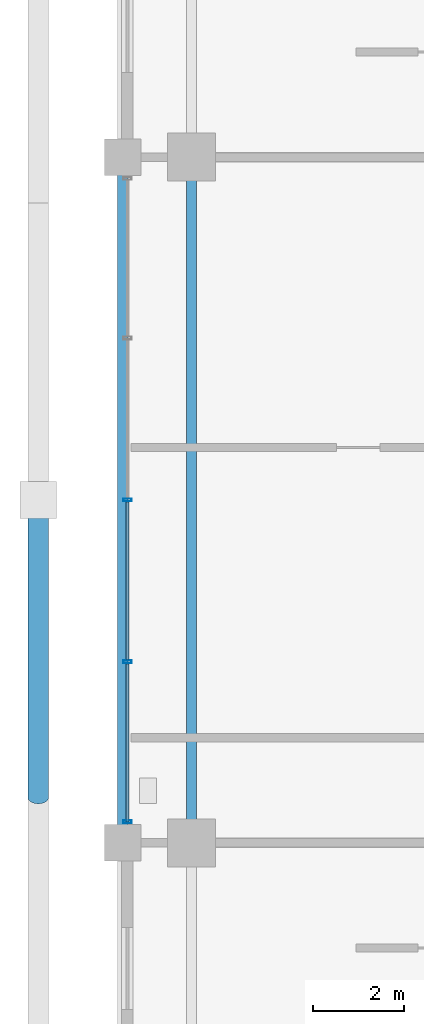
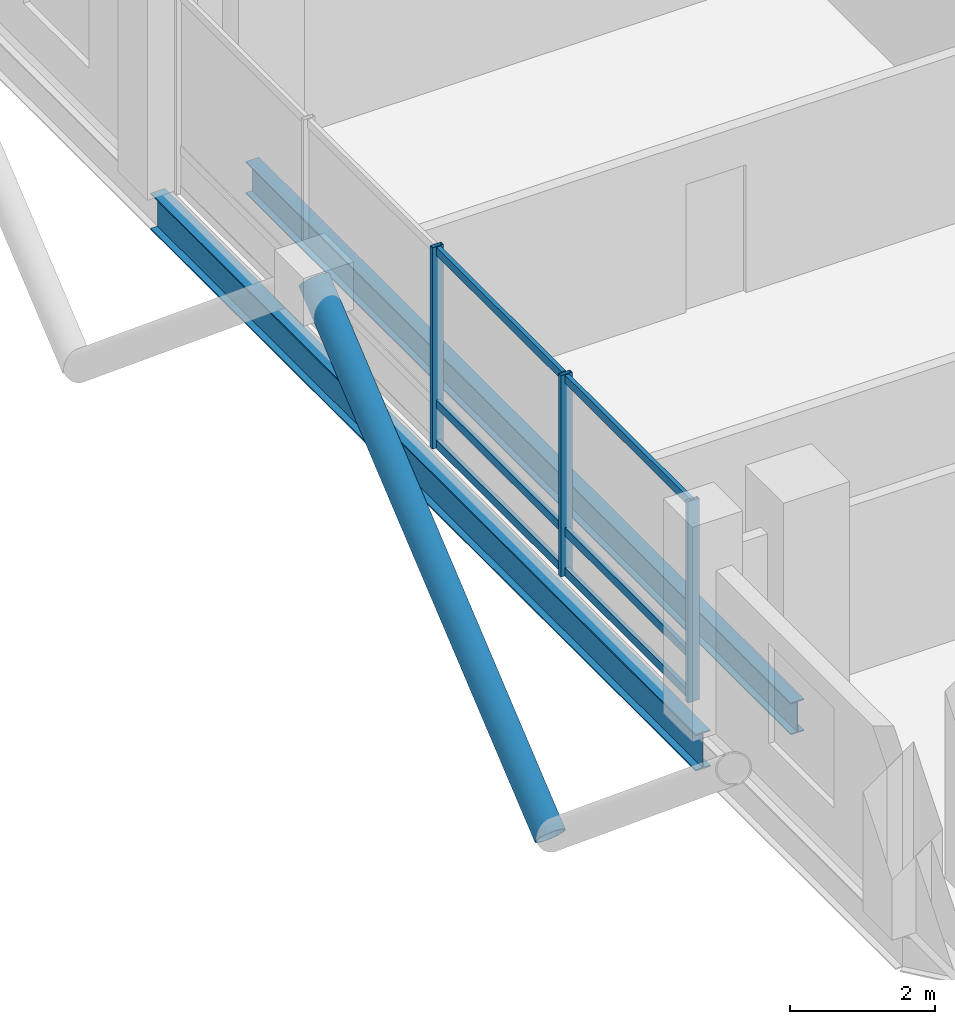
# One storey, part 6 of 23: 10 members, 2 beams, 1 element without a shape of its own.
"""IFC4 building model written with IfcOpenShell, lengths in metres."""

import ifcopenshell
import ifcopenshell.guid

model = None  # the IFC model being written
_history = None  # IfcOwnerHistory: only IFC2X3 demands one
_inside = {}  # id of a spatial element -> (the spatial element, [elements in it])
_under = {}  # id of a project, library or spatial element -> (it, [spatial elements below it])
_declared = {}  # id of a project -> (the project, [libraries it declares])
_typed = {}  # id of a type object -> (the type object, [elements of that type])
_made_of = {}  # id of a material, layer set ... -> (it, [elements and type objects made of it])


def new_model(schema):
    """Start an empty IFC model of exactly this schema.

    Asked for "IFC4X3", IfcOpenShell would pick the latest addendum, in which some entities
    have other attributes; the version numbers below select the first issue.
    IFC2X3 requires an IfcOwnerHistory on every rooted entity: one is made here for all.
    """
    global model, _history
    if schema == "IFC4X3":
        model = ifcopenshell.file(schema_version=(4, 3, 0, 0))
    else:
        model = ifcopenshell.file(schema=schema)
    _inside.clear()
    _under.clear()
    _declared.clear()
    _typed.clear()
    _made_of.clear()
    _history = None
    if model.schema == "IFC2X3":
        org = make("IfcOrganization", Name="unknown")
        user = make(
            "IfcPersonAndOrganization",
            ThePerson=make("IfcPerson", FamilyName="unknown"),
            TheOrganization=org,
        )
        app = make(
            "IfcApplication",
            ApplicationDeveloper=org,
            Version="unknown",
            ApplicationFullName="unknown",
            ApplicationIdentifier="unknown",
        )
        _history = make(
            "IfcOwnerHistory",
            OwningUser=user,
            OwningApplication=app,
            ChangeAction="ADDED",
            CreationDate=0,
        )
    return model


def make(cls, **values):
    """One entity of the class cls with the attributes given. An attribute that is None is left unset."""
    return model.create_entity(
        cls, **{name: value for name, value in values.items() if value is not None}
    )


def rooted(cls, **values):
    """An entity with a GlobalId (a new one), such as an element, a storey or a relation."""
    return make(cls, GlobalId=ifcopenshell.guid.new(), OwnerHistory=_history, **values)


def si_unit(unit_type, name, prefix=None):
    """IfcSIUnit, for example si_unit("LENGTHUNIT", "METRE", prefix="MILLI")."""
    return make("IfcSIUnit", UnitType=unit_type, Prefix=prefix, Name=name)


def assignment(units):
    """IfcUnitAssignment: the units of a project."""
    return None if units is None else make("IfcUnitAssignment", Units=units)


def point(xyz):
    """IfcCartesianPoint."""
    return None if xyz is None else make("IfcCartesianPoint", Coordinates=xyz)


def direction(xyz):
    """IfcDirection."""
    return None if xyz is None else make("IfcDirection", DirectionRatios=xyz)


def frame(location, z_axis=None, x_axis=None):
    """IfcAxis2Placement3D, a coordinate frame: its origin and axes. An axis left out is left unset."""
    return make(
        "IfcAxis2Placement3D",
        Location=point(location),
        Axis=direction(z_axis),
        RefDirection=direction(x_axis),
    )


def frame_2d(location, x_axis=None):
    """IfcAxis2Placement2D, a coordinate frame in the plane: its origin and x axis."""
    return make(
        "IfcAxis2Placement2D", Location=point(location), RefDirection=direction(x_axis)
    )


def origin():
    """The frame at (0, 0, 0) with its axes left unset."""
    return frame((0.0, 0.0, 0.0))


def origin_2d():
    """The frame at (0, 0) in the plane with its x axis left unset."""
    return frame_2d((0.0, 0.0))


def place(relative_to, where):
    """IfcLocalPlacement: puts the frame where relative to a parent placement (None: the world)."""
    return make(
        "IfcLocalPlacement", PlacementRelTo=relative_to, RelativePlacement=where
    )


def context(
    kind, dimensions, precision=None, world=None, true_north=None, identifier=None
):
    """IfcGeometricRepresentationContext, for example the 3D "Model" context."""
    return make(
        "IfcGeometricRepresentationContext",
        ContextIdentifier=identifier,
        ContextType=kind,
        CoordinateSpaceDimension=dimensions,
        Precision=precision,
        WorldCoordinateSystem=world,
        TrueNorth=true_north,
    )


def subcontext(parent, identifier, kind, view, scale=None):
    """IfcGeometricRepresentationSubContext, for example "Body" below "Model"."""
    return make(
        "IfcGeometricRepresentationSubContext",
        ContextIdentifier=identifier,
        ContextType=kind,
        ParentContext=parent,
        TargetScale=scale,
        TargetView=view,
    )


def project(units=None, contexts=None):
    """IfcProject with its units and contexts."""
    return rooted(
        "IfcProject",
        Name="project",
        RepresentationContexts=contexts,
        UnitsInContext=assignment(units),
    )


def spatial(cls, under=None, at=None, **own):
    """A site, building, storey or space (cls), placed at a placement, below another one or the project."""
    s = rooted(cls, ObjectPlacement=at, **own)
    if under is not None:
        _under.setdefault(under.id(), (under, []))[1].append(s)
    return s


def profile(cls, at=None, kind="AREA", **sizes):
    """A parametric profile (cls). Its sizes go by their IFC names, for example OverallWidth=200.0."""
    return make(cls, ProfileType=kind, Position=at, **sizes)


def hollow_rectangle(**sizes):
    """IfcRectangleHollowProfileDef."""
    return profile("IfcRectangleHollowProfileDef", **sizes)


def hollow_circle(**sizes):
    """IfcCircleHollowProfileDef."""
    return profile("IfcCircleHollowProfileDef", **sizes)


def i_section(**sizes):
    """IfcIShapeProfileDef."""
    return profile("IfcIShapeProfileDef", **sizes)


def extrude(swept, where, along, depth):
    """IfcExtrudedAreaSolid: the profile swept, set in the frame where, extruded along a direction by depth."""
    return make(
        "IfcExtrudedAreaSolid",
        SweptArea=swept,
        Position=where,
        ExtrudedDirection=direction(along),
        Depth=depth,
    )


def shape(context_of_items, identifier, shape_type, items):
    """IfcShapeRepresentation: the items that make up one representation, for example the "Body"."""
    return make(
        "IfcShapeRepresentation",
        ContextOfItems=context_of_items,
        RepresentationIdentifier=identifier,
        RepresentationType=shape_type,
        Items=items,
    )


def material(Name=None, Category=None):
    """IfcMaterial."""
    return make("IfcMaterial", Name=Name, Category=Category)


def layer(
    of_material, thickness, ventilated=None, Name=None, Category=None, Priority=None
):
    """IfcMaterialLayer: one layer of a wall or slab, of a material (None: an air gap)."""
    return make(
        "IfcMaterialLayer",
        Material=of_material,
        LayerThickness=thickness,
        IsVentilated=ventilated,
        Name=Name,
        Category=Category,
        Priority=Priority,
    )


def layer_set(layers, Name=None):
    """IfcMaterialLayerSet."""
    return make("IfcMaterialLayerSet", MaterialLayers=layers, LayerSetName=Name)


def material_profile(
    of_material, cross_section, Name=None, Category=None, Priority=None
):
    """IfcMaterialProfile: a cross section and its material."""
    return make(
        "IfcMaterialProfile",
        Name=Name,
        Material=of_material,
        Profile=cross_section,
        Priority=Priority,
        Category=Category,
    )


def profile_set(profiles, Name=None, composite=None):
    """IfcMaterialProfileSet."""
    return make(
        "IfcMaterialProfileSet",
        Name=Name,
        MaterialProfiles=profiles,
        CompositeProfile=composite,
    )


def made_of(thing, what):
    """Note that an element or type object is made of a material, layer set ...; save() writes the relation."""
    if what is not None:
        _made_of.setdefault(what.id(), (what, []))[1].append(thing)
    return thing


def type_object(cls, material=None, **own):
    """A type object (cls), such as IfcWallType, which elements share."""
    return made_of(rooted(cls, **own), material)


def element(
    cls,
    number,
    at=None,
    inside=None,
    cuts=None,
    type_object=None,
    material=None,
    context=None,
    identifier="Body",
    shape_type=None,
    held_by="IfcProductDefinitionShape",
    body=None,
    shapes=None,
    **own,
):
    """One element of the class cls, such as IfcWall. Its Tag is "e" and its number.

    at: its placement. inside: the storey or other place that contains it. cuts: it is an
    opening in that element (IfcRelVoidsElement). A single representation is given by context,
    identifier, shape_type and body (its items); several are given by shapes. held_by: the class
    of the entity that holds the representations. save() writes the other relations.
    """
    e = rooted(cls, Tag="e%d" % number, ObjectPlacement=at, **own)
    if body is not None:
        shapes = [shape(context, identifier, shape_type, body)]
    if shapes is not None:
        e.Representation = make(held_by, Representations=shapes)
    if inside is not None:
        _inside.setdefault(inside.id(), (inside, []))[1].append(e)
    if cuts is not None:
        rooted(
            "IfcRelVoidsElement", RelatingBuildingElement=cuts, RelatedOpeningElement=e
        )
    if type_object is not None:
        _typed.setdefault(type_object.id(), (type_object, []))[1].append(e)
    return made_of(e, material)


def aggregate(whole, parts):
    """IfcRelAggregates: a whole, such as a stair, and the parts it consists of."""
    return rooted("IfcRelAggregates", RelatingObject=whole, RelatedObjects=parts)


def save(model, path):
    """Write the relations noted so far, then the file.

    IfcRelAggregates (storeys below a building ...), IfcRelContainedInSpatialStructure (elements
    in a storey), IfcRelDefinesByType, IfcRelAssociatesMaterial and IfcRelDeclares: one each for
    every whole, place, type object, material and project.
    """
    for whole, parts in _under.values():
        aggregate(whole, parts)
    for where, things in _inside.values():
        rooted(
            "IfcRelContainedInSpatialStructure",
            RelatedElements=things,
            RelatingStructure=where,
        )
    for kind, things in _typed.values():
        rooted("IfcRelDefinesByType", RelatedObjects=things, RelatingType=kind)
    for what, things in _made_of.values():
        rooted("IfcRelAssociatesMaterial", RelatedObjects=things, RelatingMaterial=what)
    for by, libraries in _declared.values():
        rooted("IfcRelDeclares", RelatingContext=by, RelatedDefinitions=libraries)
    model.write(path)


model = new_model("IFC4")

# Units and contexts
model_context = context("Model", 3, precision=1e-05, world=origin(), true_north=direction((0.0, 1.0)))
body_context = subcontext(model_context, "Body", "Model", "MODEL_VIEW")
ifc_project = project(units=[si_unit("LENGTHUNIT", "METRE"), si_unit("AREAUNIT", "SQUARE_METRE"), si_unit("VOLUMEUNIT", "CUBIC_METRE"), si_unit("PLANEANGLEUNIT", "RADIAN"), si_unit("MASSUNIT", "GRAM", prefix="KILO")], contexts=[model_context])

# Site, building, storey
site_placement = place(None, origin())
site = spatial("IfcSite", under=ifc_project, at=site_placement, CompositionType="ELEMENT")
building_placement = place(site_placement, origin())
building = spatial("IfcBuilding", under=site, at=building_placement, Name="Barlavira Tower and Art Museum", CompositionType="ELEMENT")
storey_placement = place(building_placement, frame((0.0, 0.0, 205.199951171875)))
storey = spatial("IfcBuildingStorey", under=building, at=storey_placement, Name="L53", CompositionType="ELEMENT", Elevation=205.199951171875)

# Curtain wall, members
ifc_material_1 = material(Name="Low-iron coastal laminated glass", Category="glass")
ifc_layer = layer(ifc_material_1, 0.199951171875, Name="Low-iron coastal laminated glass")
ifc_layer_set = layer_set([ifc_layer], Name="Low-iron coastal laminated glass")
curtain_wall_type = type_object("IfcCurtainWallType", Name="Pale-Metal Unitised Curtain Wall Zone 3", PredefinedType="NOTDEFINED", material=ifc_layer_set)
curtain_wall_placement = place(storey_placement, origin())
curtain_wall = element("IfcCurtainWall", 1, at=curtain_wall_placement, inside=storey, type_object=curtain_wall_type, Name="L53 Curtain Wall CW3-L53-W-B3", PredefinedType="NOTDEFINED")
ifc_material_2 = material(Name="Pale anodised aluminium", Category="aluminium")
ifc_material_profile_1 = material_profile(ifc_material_2, hollow_rectangle(XDim=0.06494140625, YDim=0.179931640625, WallThickness=0.00390625, at=origin_2d()), Name="ALU-MULL 65x180x4")
ifc_profile_set_1 = profile_set([ifc_material_profile_1], Name="Pale anodised aluminium")
member_type_1 = type_object("IfcMemberType", Name="Curtain Wall Pale-Metal Mullion 65x180", PredefinedType="MULLION", material=ifc_profile_set_1)
member_1_placement = place(storey_placement, frame((-18.39990234375, 0.0, 0.0), z_axis=(0.0, 0.0, 1.0), x_axis=(0.0, -1.0, 0.0)))
member_1 = element("IfcMember", 2, at=member_1_placement, type_object=member_type_1, Name="CW3-L53-W-B3 Mullion 2", PredefinedType="MULLION", context=body_context, shape_type="SweptSolid", body=[
    extrude(hollow_rectangle(XDim=0.06494140625, YDim=0.179931640625, WallThickness=0.00390625, at=origin_2d()), origin(), (0.0, 0.0, 1.0), 3.380126953125),
])
member_2_placement = place(storey_placement, frame((-18.39990234375, -3.5400390625, 0.0), z_axis=(0.0, 0.0, 1.0), x_axis=(0.0, -1.0, 0.0)))
member_2 = element("IfcMember", 3, at=member_2_placement, type_object=member_type_1, Name="CW3-L53-W-B3 Mullion 3", PredefinedType="MULLION", context=body_context, shape_type="SweptSolid", body=[
    extrude(hollow_rectangle(XDim=0.06494140625, YDim=0.179931640625, WallThickness=0.00390625, at=origin_2d()), origin(), (0.0, 0.0, 1.0), 3.380126953125),
])
member_3_placement = place(storey_placement, frame((-18.39990234375, -7.034912109375, 0.0), z_axis=(0.0, 0.0, 1.0), x_axis=(0.0, -1.0, 0.0)))
member_3 = element("IfcMember", 4, at=member_3_placement, type_object=member_type_1, Name="CW3-L53-W-B3 Mullion 4", PredefinedType="MULLION", context=body_context, shape_type="SweptSolid", body=[
    extrude(hollow_rectangle(XDim=0.06494140625, YDim=0.179931640625, WallThickness=0.00390625, at=origin_2d()), origin(), (0.0, 0.0, 1.0), 3.380126953125),
])
ifc_material_profile_2 = material_profile(ifc_material_2, hollow_rectangle(XDim=0.06494140625, YDim=0.139892578125, WallThickness=0.00390625, at=origin_2d()), Name="ALU-TRAN 65x140x4")
ifc_profile_set_2 = profile_set([ifc_material_profile_2], Name="Pale anodised aluminium")
member_type_2 = type_object("IfcMemberType", Name="Curtain Wall Pale-Metal Transom 65x140", PredefinedType="USERDEFINED", material=ifc_profile_set_2)
member_4_placement = place(storey_placement, frame((-18.39990234375, -0.044921875, 0.070068359375), z_axis=(0.0, -1.0, 0.0), x_axis=(1.0, 0.0, 0.0)))
member_4 = element("IfcMember", 5, at=member_4_placement, type_object=member_type_2, Name="CW3-L53-W-B3 Transom 2.1", ObjectType="TRANSOM", PredefinedType="USERDEFINED", context=body_context, shape_type="SweptSolid", body=[
    extrude(hollow_rectangle(XDim=0.06494140625, YDim=0.139892578125, WallThickness=0.00390625, at=origin_2d()), origin(), (0.0, 0.0, 1.0), 3.4501953125),
])
member_5_placement = place(storey_placement, frame((-18.39990234375, -0.044921875, 0.744140625), z_axis=(0.0, -1.0, 0.0), x_axis=(1.0, 0.0, 0.0)))
member_5 = element("IfcMember", 6, at=member_5_placement, type_object=member_type_2, Name="CW3-L53-W-B3 Transom 2.2", ObjectType="TRANSOM", PredefinedType="USERDEFINED", context=body_context, shape_type="SweptSolid", body=[
    extrude(hollow_rectangle(XDim=0.06494140625, YDim=0.139892578125, WallThickness=0.00390625, at=origin_2d()), origin(), (0.0, 0.0, 1.0), 3.4501953125),
])
member_6_placement = place(storey_placement, frame((-18.39990234375, -0.044921875, 3.31005859375), z_axis=(0.0, -1.0, 0.0), x_axis=(1.0, 0.0, 0.0)))
member_6 = element("IfcMember", 7, at=member_6_placement, type_object=member_type_2, Name="CW3-L53-W-B3 Transom 2.3", ObjectType="TRANSOM", PredefinedType="USERDEFINED", context=body_context, shape_type="SweptSolid", body=[
    extrude(hollow_rectangle(XDim=0.06494140625, YDim=0.139892578125, WallThickness=0.00390625, at=origin_2d()), origin(), (0.0, 0.0, 1.0), 3.4501953125),
])
member_7_placement = place(storey_placement, frame((-18.39990234375, -3.5849609375, 0.070068359375), z_axis=(0.0, -1.0, 0.0), x_axis=(1.0, 0.0, 0.0)))
member_7 = element("IfcMember", 8, at=member_7_placement, type_object=member_type_2, Name="CW3-L53-W-B3 Transom 3.1", ObjectType="TRANSOM", PredefinedType="USERDEFINED", context=body_context, shape_type="SweptSolid", body=[
    extrude(hollow_rectangle(XDim=0.06494140625, YDim=0.139892578125, WallThickness=0.00390625, at=origin_2d()), origin(), (0.0, 0.0, 1.0), 3.449951171875),
])
member_8_placement = place(storey_placement, frame((-18.39990234375, -3.5849609375, 0.744140625), z_axis=(0.0, -1.0, 0.0), x_axis=(1.0, 0.0, 0.0)))
member_8 = element("IfcMember", 9, at=member_8_placement, type_object=member_type_2, Name="CW3-L53-W-B3 Transom 3.2", ObjectType="TRANSOM", PredefinedType="USERDEFINED", context=body_context, shape_type="SweptSolid", body=[
    extrude(hollow_rectangle(XDim=0.06494140625, YDim=0.139892578125, WallThickness=0.00390625, at=origin_2d()), origin(), (0.0, 0.0, 1.0), 3.449951171875),
])
member_9_placement = place(storey_placement, frame((-18.39990234375, -3.5849609375, 3.31005859375), z_axis=(0.0, -1.0, 0.0), x_axis=(1.0, 0.0, 0.0)))
member_9 = element("IfcMember", 10, at=member_9_placement, type_object=member_type_2, Name="CW3-L53-W-B3 Transom 3.3", ObjectType="TRANSOM", PredefinedType="USERDEFINED", context=body_context, shape_type="SweptSolid", body=[
    extrude(hollow_rectangle(XDim=0.06494140625, YDim=0.139892578125, WallThickness=0.00390625, at=origin_2d()), origin(), (0.0, 0.0, 1.0), 3.449951171875),
])
aggregate(curtain_wall, [member_1, member_2, member_3, member_4, member_5, member_6, member_7, member_8, member_9])

# Member
ifc_material_3 = material(Name="Steel S355", Category="steel")
ifc_material_profile_3 = material_profile(ifc_material_3, hollow_circle(Radius=0.228515625, WallThickness=0.02001953125, at=origin_2d()), Name="CHS 457.0x20.0")
ifc_profile_set_3 = profile_set([ifc_material_profile_3], Name="Steel S355")
member_type_3 = type_object("IfcMemberType", Name="Pale-Metal Exoskeleton Diagrid Tube CHS 457x20 Steel S355", PredefinedType="BRACE", material=ifc_profile_set_3)
member_10_placement = place(storey_placement, frame((-20.35009765625, -6.5, -1.919921875), z_axis=(0.0, 0.769196053329, 0.639012857104), x_axis=(-1.0, 0.0, 0.0)))
element("IfcMember", 11, at=member_10_placement, inside=storey, type_object=member_type_3, Name="L53 Exoskeleton Diagrid Tube W", PredefinedType="BRACE", context=body_context, shape_type="SweptSolid", body=[
    extrude(hollow_circle(Radius=0.228515625, WallThickness=0.02001953125, at=origin_2d()), origin(), (0.0, 0.0, 1.0), 8.450439453125),
])

# Beams
ifc_material_profile_4 = material_profile(ifc_material_3, i_section(OverallWidth=0.22998046875, OverallDepth=0.616943359375, WebThickness=0.01318359375, FlangeThickness=0.022216796875, at=origin_2d()), Name="W610x140.0")
ifc_profile_set_4 = profile_set([ifc_material_profile_4], Name="Steel S355")
beam_type_1 = type_object("IfcBeamType", Name="Upper Shaft Spandrel Edge Beam W610x140 Steel S355", PredefinedType="SPANDREL", material=ifc_profile_set_4)
beam_1_placement = place(storey_placement, frame((-18.5, -7.5, -0.528564453125), z_axis=(0.0, 1.0, 0.0), x_axis=(-1.0, 0.0, 0.0)))
element("IfcBeam", 12, at=beam_1_placement, inside=storey, type_object=beam_type_1, Name="L53 Spandrel 14", PredefinedType="SPANDREL", context=body_context, shape_type="SweptSolid", body=[
    extrude(i_section(OverallWidth=0.22998046875, OverallDepth=0.616943359375, WebThickness=0.01318359375, FlangeThickness=0.022216796875, at=origin_2d()), origin(), (0.0, 0.0, 1.0), 15.0),
])
ifc_material_profile_5 = material_profile(ifc_material_3, i_section(OverallWidth=0.2109375, OverallDepth=0.5390625, WebThickness=0.01171875, FlangeThickness=0.018798828125, at=origin_2d()), Name="W530x109.0")
ifc_profile_set_5 = profile_set([ifc_material_profile_5], Name="Steel S355")
beam_type_2 = type_object("IfcBeamType", Name="Zone 3-4 Primary Floor Girder W530x109 Steel S355", PredefinedType="BEAM", material=ifc_profile_set_5)
beam_2_placement = place(storey_placement, frame((-17.0, -7.5, -0.489501953125), z_axis=(0.0, 1.0, 0.0), x_axis=(-1.0, 0.0, 0.0)))
element("IfcBeam", 13, at=beam_2_placement, inside=storey, type_object=beam_type_2, Name="L53 Girder M-W2", PredefinedType="BEAM", context=body_context, shape_type="SweptSolid", body=[
    extrude(i_section(OverallWidth=0.2109375, OverallDepth=0.5390625, WebThickness=0.01171875, FlangeThickness=0.018798828125, at=origin_2d()), origin(), (0.0, 0.0, 1.0), 15.0),
])

save(model, "model.ifc")
